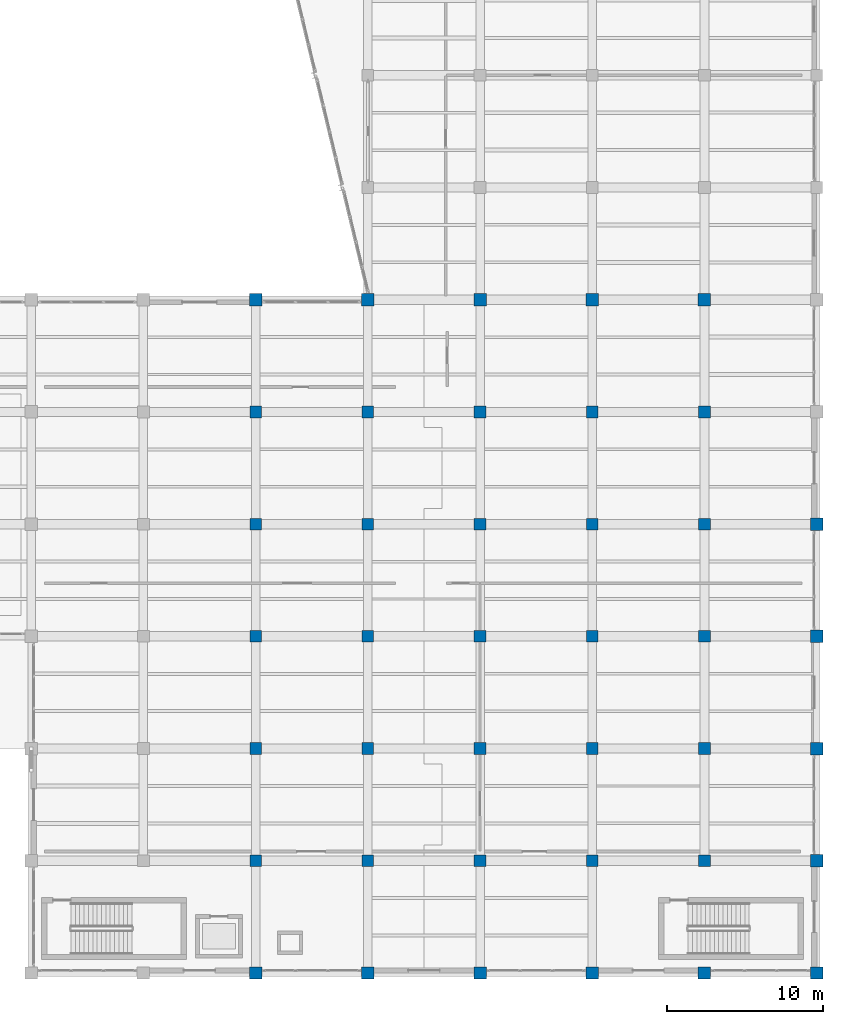
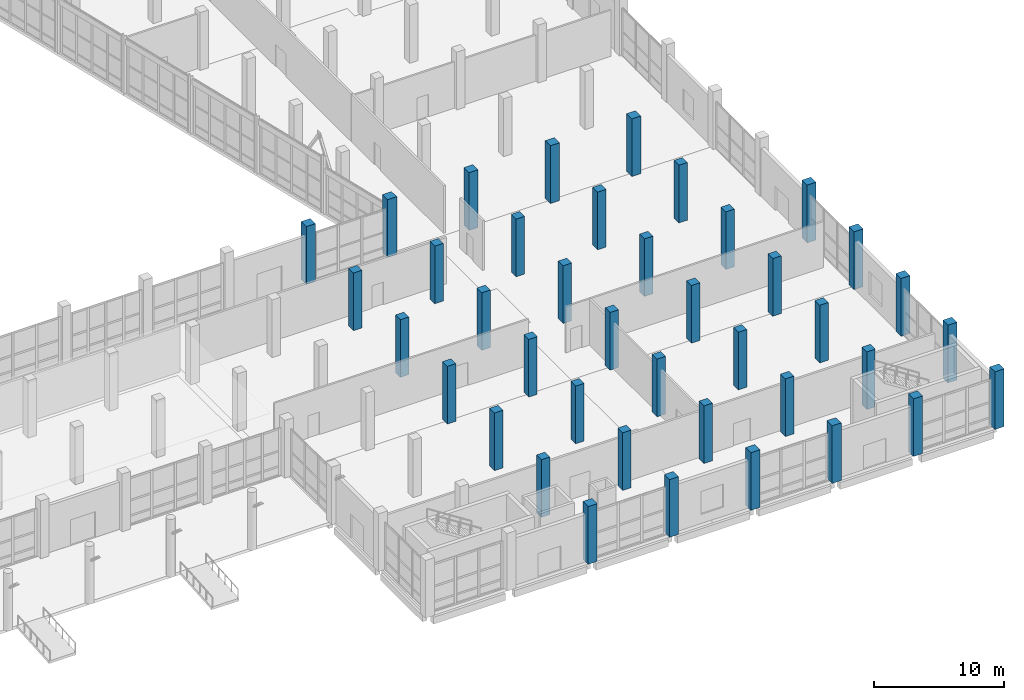
# One storey, part 5 of 137: 40 columns.
"""IFC4 building model written with IfcOpenShell, lengths in metres."""

from ifc_helpers import new_model, si_unit, direction, frame, origin, origin_2d, place, context, subcontext, project, spatial, rectangle, extrude, material, material_profile, profile_set, type_object, element, save


model = new_model("IFC4")

# Units and contexts
model_context = context("Model", 3, precision=1e-05, world=origin(), true_north=direction((0.0, 1.0)))
body_context = subcontext(model_context, "Body", "Model", "MODEL_VIEW")
ifc_project = project(units=[si_unit("LENGTHUNIT", "METRE"), si_unit("AREAUNIT", "SQUARE_METRE"), si_unit("VOLUMEUNIT", "CUBIC_METRE"), si_unit("PLANEANGLEUNIT", "RADIAN"), si_unit("MASSUNIT", "GRAM", prefix="KILO")], contexts=[model_context])

# Site, building, storey
site_placement = place(None, origin())
site = spatial("IfcSite", under=ifc_project, at=site_placement, CompositionType="ELEMENT")
building_placement = place(site_placement, origin())
building = spatial("IfcBuilding", under=site, at=building_placement, Name="Kalmorath City Hall", CompositionType="ELEMENT")
storey_placement = place(building_placement, origin())
storey = spatial("IfcBuildingStorey", under=building, at=storey_placement, Name="L00", CompositionType="ELEMENT", Elevation=0.0)

# Columns
ifc_material_1 = material(Name="Concrete C50/60", Category="concrete")
ifc_material_profile_1 = material_profile(ifc_material_1, rectangle(XDim=0.75, YDim=0.75, at=origin_2d()), Name="RC-COL-750X750")
ifc_profile_set_1 = profile_set([ifc_material_profile_1], Name="Concrete C50/60")
column_type_1 = type_object("IfcColumnType", Name="Concrete column 750x750", PredefinedType="COLUMN", material=ifc_profile_set_1)
for number, where, z_axis, x_axis, name in (
    (1, (129.60009765625, 7.199951171875, 0.0), (0.0, 0.0, 1.0), (1.0, 0.0, 0.0), "L00 column C3 (19/2)"),
    (2, (129.60009765625, 14.39990234375, 0.0), (0.0, 0.0, 1.0), (1.0, 0.0, 0.0), "L00 column C3 (19/3)"),
    (3, (129.60009765625, 21.60009765625, 0.0), (0.0, 0.0, 1.0), (1.0, 0.0, 0.0), "L00 column C3 (19/4)"),
    (4, (129.60009765625, 28.800048828125, 0.0), (0.0, 0.0, 1.0), (1.0, 0.0, 0.0), "L00 column C3 (19/5)"),
    (5, (129.60009765625, 36.0, 0.0), (0.0, 0.0, 1.0), (1.0, 0.0, 0.0), "L00 column C3 (19/6)"),
    (6, (136.800048828125, 7.199951171875, 0.0), (0.0, 0.0, 1.0), (1.0, 0.0, 0.0), "L00 column C3 (20/2)"),
    (7, (136.800048828125, 14.39990234375, 0.0), (0.0, 0.0, 1.0), (1.0, 0.0, 0.0), "L00 column C3 (20/3)"),
    (8, (136.800048828125, 21.60009765625, 0.0), (0.0, 0.0, 1.0), (1.0, 0.0, 0.0), "L00 column C3 (20/4)"),
    (9, (136.800048828125, 28.800048828125, 0.0), (0.0, 0.0, 1.0), (1.0, 0.0, 0.0), "L00 column C3 (20/5)"),
    (10, (136.800048828125, 36.0, 0.0), (0.0, 0.0, 1.0), (1.0, 0.0, 0.0), "L00 column C3 (20/6)"),
    (11, (144.0, 7.199951171875, 0.0), (0.0, 0.0, 1.0), (1.0, 0.0, 0.0), "L00 column C3 (21/2)"),
    (12, (144.0, 14.39990234375, 0.0), (0.0, 0.0, 1.0), (1.0, 0.0, 0.0), "L00 column C3 (21/3)"),
    (13, (144.0, 21.60009765625, 0.0), (0.0, 0.0, 1.0), (1.0, 0.0, 0.0), "L00 column C3 (21/4)"),
    (14, (144.0, 28.800048828125, 0.0), (0.0, 0.0, 1.0), (1.0, 0.0, 0.0), "L00 column C3 (21/5)"),
    (15, (144.0, 36.0, 0.0), (0.0, 0.0, 1.0), (1.0, 0.0, 0.0), "L00 column C3 (21/6)"),
    (16, (151.199951171875, 7.199951171875, 0.0), (0.0, 0.0, 1.0), (1.0, 0.0, 0.0), "L00 column C3 (22/2)"),
    (17, (151.199951171875, 14.39990234375, 0.0), (0.0, 0.0, 1.0), (1.0, 0.0, 0.0), "L00 column C3 (22/3)"),
    (18, (151.199951171875, 21.60009765625, 0.0), (0.0, 0.0, 1.0), (1.0, 0.0, 0.0), "L00 column C3 (22/4)"),
    (19, (151.199951171875, 28.800048828125, 0.0), (0.0, 0.0, 1.0), (1.0, 0.0, 0.0), "L00 column C3 (22/5)"),
    (20, (151.199951171875, 36.0, 0.0), (0.0, 0.0, 1.0), (1.0, 0.0, 0.0), "L00 column C3 (22/6)"),
    (21, (158.39990234375, 7.199951171875, 0.0), (0.0, 0.0, 1.0), (1.0, 0.0, 0.0), "L00 column C3 (23/2)"),
    (22, (158.39990234375, 14.39990234375, 0.0), (0.0, 0.0, 1.0), (1.0, 0.0, 0.0), "L00 column C3 (23/3)"),
    (23, (158.39990234375, 21.60009765625, 0.0), (0.0, 0.0, 1.0), (1.0, 0.0, 0.0), "L00 column C3 (23/4)"),
    (24, (158.39990234375, 28.800048828125, 0.0), (0.0, 0.0, 1.0), (1.0, 0.0, 0.0), "L00 column C3 (23/5)"),
    (25, (158.39990234375, 36.0, 0.0), (0.0, 0.0, 1.0), (1.0, 0.0, 0.0), "L00 column C3 (23/6)"),
):
    element("IfcColumn", number, at=place(storey_placement, frame(where, z_axis=z_axis, x_axis=x_axis)), inside=storey, type_object=column_type_1, Name=name, PredefinedType="COLUMN", context=body_context, shape_type="SweptSolid", body=[
        extrude(rectangle(XDim=0.75, YDim=0.75, at=origin_2d()), origin(), (0.0, 0.0, 1.0), 5.39990234375),
    ])
ifc_material_2 = material(Name="Concrete C50/60", Category="concrete")
ifc_material_profile_2 = material_profile(ifc_material_2, rectangle(XDim=0.800048828125, YDim=0.800048828125, at=origin_2d()), Name="RC-COL-800X800")
ifc_profile_set_2 = profile_set([ifc_material_profile_2], Name="Concrete C50/60")
column_type_2 = type_object("IfcColumnType", Name="Concrete column 800x800", PredefinedType="COLUMN", material=ifc_profile_set_2)
for number, where, z_axis, x_axis, name in (
    (26, (129.60009765625, 0.0, 0.0), (0.0, 0.0, 1.0), (1.0, 0.0, 0.0), "L00 column C2 (19/1)"),
    (27, (129.60009765625, 43.199951171875, 0.0), (0.0, 0.0, 1.0), (1.0, 0.0, 0.0), "L00 column C2 (19/7)"),
    (28, (136.800048828125, 0.0, 0.0), (0.0, 0.0, 1.0), (1.0, 0.0, 0.0), "L00 column C2 (20/1)"),
    (29, (136.800048828125, 43.199951171875, 0.0), (0.0, 0.0, 1.0), (1.0, 0.0, 0.0), "L00 column C2 (20/7)"),
    (30, (144.0, 0.0, 0.0), (0.0, 0.0, 1.0), (1.0, 0.0, 0.0), "L00 column C2 (21/1)"),
    (31, (144.0, 43.199951171875, 0.0), (0.0, 0.0, 1.0), (1.0, 0.0, 0.0), "L00 column C2 (21/7)"),
    (32, (151.199951171875, 0.0, 0.0), (0.0, 0.0, 1.0), (1.0, 0.0, 0.0), "L00 column C2 (22/1)"),
    (33, (151.199951171875, 43.199951171875, 0.0), (0.0, 0.0, 1.0), (1.0, 0.0, 0.0), "L00 column C2 (22/7)"),
    (34, (158.39990234375, 0.0, 0.0), (0.0, 0.0, 1.0), (1.0, 0.0, 0.0), "L00 column C2 (23/1)"),
    (35, (158.39990234375, 43.199951171875, 0.0), (0.0, 0.0, 1.0), (1.0, 0.0, 0.0), "L00 column C2 (23/7)"),
    (36, (165.60009765625, 0.0, 0.0), (0.0, 0.0, 1.0), (1.0, 0.0, 0.0), "L00 column C2 (24/1)"),
    (37, (165.60009765625, 7.199951171875, 0.0), (0.0, 0.0, 1.0), (1.0, 0.0, 0.0), "L00 column C2 (24/2)"),
    (38, (165.60009765625, 14.39990234375, 0.0), (0.0, 0.0, 1.0), (1.0, 0.0, 0.0), "L00 column C2 (24/3)"),
    (39, (165.60009765625, 21.60009765625, 0.0), (0.0, 0.0, 1.0), (1.0, 0.0, 0.0), "L00 column C2 (24/4)"),
    (40, (165.60009765625, 28.800048828125, 0.0), (0.0, 0.0, 1.0), (1.0, 0.0, 0.0), "L00 column C2 (24/5)"),
):
    element("IfcColumn", number, at=place(storey_placement, frame(where, z_axis=z_axis, x_axis=x_axis)), inside=storey, type_object=column_type_2, Name=name, PredefinedType="COLUMN", context=body_context, shape_type="SweptSolid", body=[
        extrude(rectangle(XDim=0.800048828125, YDim=0.800048828125, at=origin_2d()), origin(), (0.0, 0.0, 1.0), 5.39990234375),
    ])

save(model, "model.ifc")
